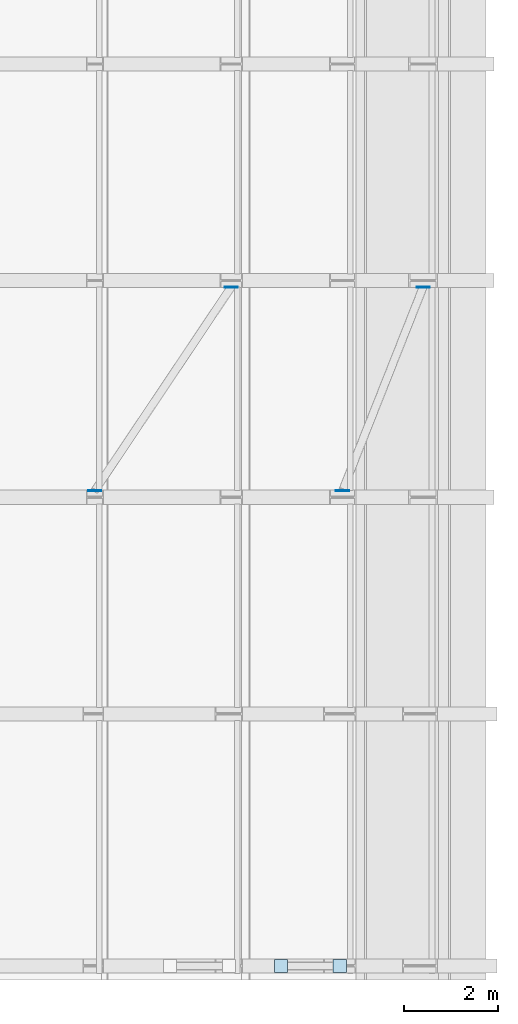
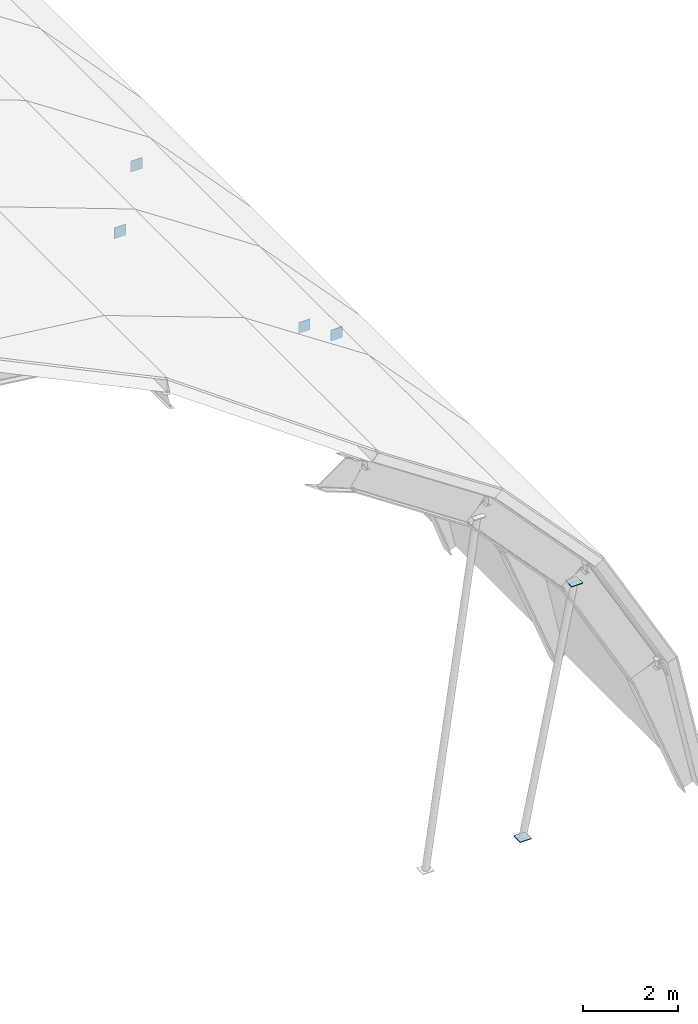
# One storey, part 33 of 47: 6 plates.
"""IFC4 building model written with IfcOpenShell, lengths in metres."""

import ifcopenshell
import ifcopenshell.guid

model = None  # the IFC model being written
_history = None  # IfcOwnerHistory: only IFC2X3 demands one
_inside = {}  # id of a spatial element -> (the spatial element, [elements in it])
_under = {}  # id of a project, library or spatial element -> (it, [spatial elements below it])
_declared = {}  # id of a project -> (the project, [libraries it declares])
_typed = {}  # id of a type object -> (the type object, [elements of that type])
_made_of = {}  # id of a material, layer set ... -> (it, [elements and type objects made of it])


def new_model(schema):
    """Start an empty IFC model of exactly this schema.

    Asked for "IFC4X3", IfcOpenShell would pick the latest addendum, in which some entities
    have other attributes; the version numbers below select the first issue.
    IFC2X3 requires an IfcOwnerHistory on every rooted entity: one is made here for all.
    """
    global model, _history
    if schema == "IFC4X3":
        model = ifcopenshell.file(schema_version=(4, 3, 0, 0))
    else:
        model = ifcopenshell.file(schema=schema)
    _inside.clear()
    _under.clear()
    _declared.clear()
    _typed.clear()
    _made_of.clear()
    _history = None
    if model.schema == "IFC2X3":
        org = make("IfcOrganization", Name="unknown")
        user = make(
            "IfcPersonAndOrganization",
            ThePerson=make("IfcPerson", FamilyName="unknown"),
            TheOrganization=org,
        )
        app = make(
            "IfcApplication",
            ApplicationDeveloper=org,
            Version="unknown",
            ApplicationFullName="unknown",
            ApplicationIdentifier="unknown",
        )
        _history = make(
            "IfcOwnerHistory",
            OwningUser=user,
            OwningApplication=app,
            ChangeAction="ADDED",
            CreationDate=0,
        )
    return model


def make(cls, **values):
    """One entity of the class cls with the attributes given. An attribute that is None is left unset."""
    return model.create_entity(
        cls, **{name: value for name, value in values.items() if value is not None}
    )


def rooted(cls, **values):
    """An entity with a GlobalId (a new one), such as an element, a storey or a relation."""
    return make(cls, GlobalId=ifcopenshell.guid.new(), OwnerHistory=_history, **values)


def si_unit(unit_type, name, prefix=None):
    """IfcSIUnit, for example si_unit("LENGTHUNIT", "METRE", prefix="MILLI")."""
    return make("IfcSIUnit", UnitType=unit_type, Prefix=prefix, Name=name)


def assignment(units):
    """IfcUnitAssignment: the units of a project."""
    return None if units is None else make("IfcUnitAssignment", Units=units)


def point(xyz):
    """IfcCartesianPoint."""
    return None if xyz is None else make("IfcCartesianPoint", Coordinates=xyz)


def direction(xyz):
    """IfcDirection."""
    return None if xyz is None else make("IfcDirection", DirectionRatios=xyz)


def frame(location, z_axis=None, x_axis=None):
    """IfcAxis2Placement3D, a coordinate frame: its origin and axes. An axis left out is left unset."""
    return make(
        "IfcAxis2Placement3D",
        Location=point(location),
        Axis=direction(z_axis),
        RefDirection=direction(x_axis),
    )


def frame_2d(location, x_axis=None):
    """IfcAxis2Placement2D, a coordinate frame in the plane: its origin and x axis."""
    return make(
        "IfcAxis2Placement2D", Location=point(location), RefDirection=direction(x_axis)
    )


def origin():
    """The frame at (0, 0, 0) with its axes left unset."""
    return frame((0.0, 0.0, 0.0))


def origin_2d():
    """The frame at (0, 0) in the plane with its x axis left unset."""
    return frame_2d((0.0, 0.0))


def place(relative_to, where):
    """IfcLocalPlacement: puts the frame where relative to a parent placement (None: the world)."""
    return make(
        "IfcLocalPlacement", PlacementRelTo=relative_to, RelativePlacement=where
    )


def context(
    kind, dimensions, precision=None, world=None, true_north=None, identifier=None
):
    """IfcGeometricRepresentationContext, for example the 3D "Model" context."""
    return make(
        "IfcGeometricRepresentationContext",
        ContextIdentifier=identifier,
        ContextType=kind,
        CoordinateSpaceDimension=dimensions,
        Precision=precision,
        WorldCoordinateSystem=world,
        TrueNorth=true_north,
    )


def subcontext(parent, identifier, kind, view, scale=None):
    """IfcGeometricRepresentationSubContext, for example "Body" below "Model"."""
    return make(
        "IfcGeometricRepresentationSubContext",
        ContextIdentifier=identifier,
        ContextType=kind,
        ParentContext=parent,
        TargetScale=scale,
        TargetView=view,
    )


def project(units=None, contexts=None):
    """IfcProject with its units and contexts."""
    return rooted(
        "IfcProject",
        Name="project",
        RepresentationContexts=contexts,
        UnitsInContext=assignment(units),
    )


def spatial(cls, under=None, at=None, **own):
    """A site, building, storey or space (cls), placed at a placement, below another one or the project."""
    s = rooted(cls, ObjectPlacement=at, **own)
    if under is not None:
        _under.setdefault(under.id(), (under, []))[1].append(s)
    return s


def profile(cls, at=None, kind="AREA", **sizes):
    """A parametric profile (cls). Its sizes go by their IFC names, for example OverallWidth=200.0."""
    return make(cls, ProfileType=kind, Position=at, **sizes)


def rectangle(**sizes):
    """IfcRectangleProfileDef."""
    return profile("IfcRectangleProfileDef", **sizes)


def extrude(swept, where, along, depth):
    """IfcExtrudedAreaSolid: the profile swept, set in the frame where, extruded along a direction by depth."""
    return make(
        "IfcExtrudedAreaSolid",
        SweptArea=swept,
        Position=where,
        ExtrudedDirection=direction(along),
        Depth=depth,
    )


def shape(context_of_items, identifier, shape_type, items):
    """IfcShapeRepresentation: the items that make up one representation, for example the "Body"."""
    return make(
        "IfcShapeRepresentation",
        ContextOfItems=context_of_items,
        RepresentationIdentifier=identifier,
        RepresentationType=shape_type,
        Items=items,
    )


def material(Name=None, Category=None):
    """IfcMaterial."""
    return make("IfcMaterial", Name=Name, Category=Category)


def layer(
    of_material, thickness, ventilated=None, Name=None, Category=None, Priority=None
):
    """IfcMaterialLayer: one layer of a wall or slab, of a material (None: an air gap)."""
    return make(
        "IfcMaterialLayer",
        Material=of_material,
        LayerThickness=thickness,
        IsVentilated=ventilated,
        Name=Name,
        Category=Category,
        Priority=Priority,
    )


def layer_set(layers, Name=None):
    """IfcMaterialLayerSet."""
    return make("IfcMaterialLayerSet", MaterialLayers=layers, LayerSetName=Name)


def made_of(thing, what):
    """Note that an element or type object is made of a material, layer set ...; save() writes the relation."""
    if what is not None:
        _made_of.setdefault(what.id(), (what, []))[1].append(thing)
    return thing


def type_object(cls, material=None, **own):
    """A type object (cls), such as IfcWallType, which elements share."""
    return made_of(rooted(cls, **own), material)


def element(
    cls,
    number,
    at=None,
    inside=None,
    cuts=None,
    type_object=None,
    material=None,
    context=None,
    identifier="Body",
    shape_type=None,
    held_by="IfcProductDefinitionShape",
    body=None,
    shapes=None,
    **own,
):
    """One element of the class cls, such as IfcWall. Its Tag is "e" and its number.

    at: its placement. inside: the storey or other place that contains it. cuts: it is an
    opening in that element (IfcRelVoidsElement). A single representation is given by context,
    identifier, shape_type and body (its items); several are given by shapes. held_by: the class
    of the entity that holds the representations. save() writes the other relations.
    """
    e = rooted(cls, Tag="e%d" % number, ObjectPlacement=at, **own)
    if body is not None:
        shapes = [shape(context, identifier, shape_type, body)]
    if shapes is not None:
        e.Representation = make(held_by, Representations=shapes)
    if inside is not None:
        _inside.setdefault(inside.id(), (inside, []))[1].append(e)
    if cuts is not None:
        rooted(
            "IfcRelVoidsElement", RelatingBuildingElement=cuts, RelatedOpeningElement=e
        )
    if type_object is not None:
        _typed.setdefault(type_object.id(), (type_object, []))[1].append(e)
    return made_of(e, material)


def aggregate(whole, parts):
    """IfcRelAggregates: a whole, such as a stair, and the parts it consists of."""
    return rooted("IfcRelAggregates", RelatingObject=whole, RelatedObjects=parts)


def save(model, path):
    """Write the relations noted so far, then the file.

    IfcRelAggregates (storeys below a building ...), IfcRelContainedInSpatialStructure (elements
    in a storey), IfcRelDefinesByType, IfcRelAssociatesMaterial and IfcRelDeclares: one each for
    every whole, place, type object, material and project.
    """
    for whole, parts in _under.values():
        aggregate(whole, parts)
    for where, things in _inside.values():
        rooted(
            "IfcRelContainedInSpatialStructure",
            RelatedElements=things,
            RelatingStructure=where,
        )
    for kind, things in _typed.values():
        rooted("IfcRelDefinesByType", RelatedObjects=things, RelatingType=kind)
    for what, things in _made_of.values():
        rooted("IfcRelAssociatesMaterial", RelatedObjects=things, RelatingMaterial=what)
    for by, libraries in _declared.values():
        rooted("IfcRelDeclares", RelatingContext=by, RelatedDefinitions=libraries)
    model.write(path)


model = new_model("IFC4")

# Units and contexts
model_context = context("Model", 3, precision=1e-05, world=origin(), true_north=direction((0.0, 1.0)))
body_context = subcontext(model_context, "Body", "Model", "MODEL_VIEW")
ifc_project = project(units=[si_unit("LENGTHUNIT", "METRE"), si_unit("AREAUNIT", "SQUARE_METRE"), si_unit("VOLUMEUNIT", "CUBIC_METRE"), si_unit("PLANEANGLEUNIT", "RADIAN"), si_unit("MASSUNIT", "GRAM", prefix="KILO")], contexts=[model_context])

# Site, building, storey
site_placement = place(None, origin())
site = spatial("IfcSite", under=ifc_project, at=site_placement, CompositionType="ELEMENT")
building_placement = place(site_placement, origin())
building = spatial("IfcBuilding", under=site, at=building_placement, Name="Muzn Square Opera House", CompositionType="ELEMENT")
storey_placement = place(building_placement, frame((0.0, 0.0, 31.0)))
storey = spatial("IfcBuildingStorey", under=building, at=storey_placement, Name="RF-1", CompositionType="ELEMENT", Elevation=31.0)

# Plates
ifc_material = material(Name="Steel S355", Category="steel")
ifc_layer = layer(ifc_material, 0.01806640625, Name="Steel S355", Category="steel")
ifc_layer_set = layer_set([ifc_layer], Name="Steel S355")
plate_type = type_object("IfcPlateType", Name="Brace Cap Plate 18mm 280x280", PredefinedType="USERDEFINED", material=ifc_layer_set)
for number, where, z_axis, x_axis, name in (
    (1, (128.66015625, 21.25, -12.589111328125), (0.0, 0.0, 1.0), (1.0, 0.0, 0.0), "Exposed Gable Truss Gusset V3-W04-A"),
    (2, (129.91015625, 21.25, -6.470703125), (0.0, 0.0, 1.0), (1.0, 0.0, 0.0), "Exposed Gable Truss Gusset V3-W04-B"),
):
    element("IfcPlate", number, at=place(storey_placement, frame(where, z_axis=z_axis, x_axis=x_axis)), inside=storey, type_object=plate_type, Name=name, ObjectType="GUSSET PLATE", PredefinedType="USERDEFINED", context=body_context, shape_type="SweptSolid", body=[
        extrude(rectangle(XDim=0.280029296875, YDim=0.280029296875, at=origin_2d()), origin(), (0.0, 0.0, 1.0), 0.01806640625),
    ])
for number, where, z_axis, x_axis, name in (
    (3, (124.71142578125, 31.340087890625, -1.90966796875), (0.0, 0.0, 1.0), (1.0, 0.0, 0.0), "Vault Wind Brace End Cap Plate V3-02-14-A"),
    (4, (127.6044921875, 35.659912109375, -3.83349609375), (0.0, 0.0, 1.0), (1.0, 0.0, 0.0), "Vault Wind Brace End Cap Plate V3-02-14-B"),
    (5, (129.970703125, 31.340087890625, -6.37744140625), (0.0, 0.0, 1.0), (1.0, 0.0, 0.0), "Vault Wind Brace End Cap Plate V3-02-18-A"),
    (6, (131.680419921875, 35.659912109375, -9.40185546875), (0.0, 0.0, 1.0), (1.0, 0.0, 0.0), "Vault Wind Brace End Cap Plate V3-02-18-B"),
):
    element("IfcPlate", number, at=place(storey_placement, frame(where, z_axis=z_axis, x_axis=x_axis)), inside=storey, type_object=plate_type, Name=name, ObjectType="GUSSET PLATE", PredefinedType="USERDEFINED", context=body_context, shape_type="SweptSolid", body=[
        extrude(rectangle(XDim=0.280029296875, YDim=0.01806640625, at=origin_2d()), origin(), (0.0, 0.0, 1.0), 0.280029296875),
    ])

save(model, "model.ifc")
